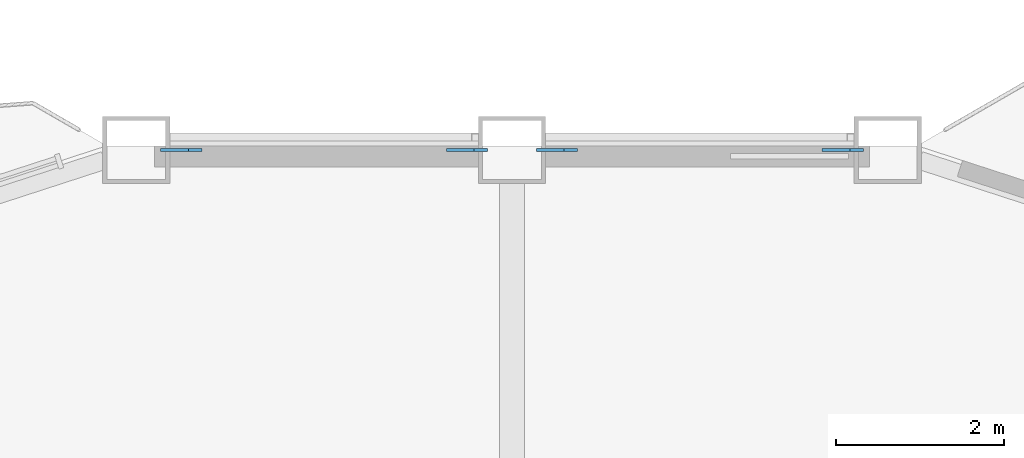
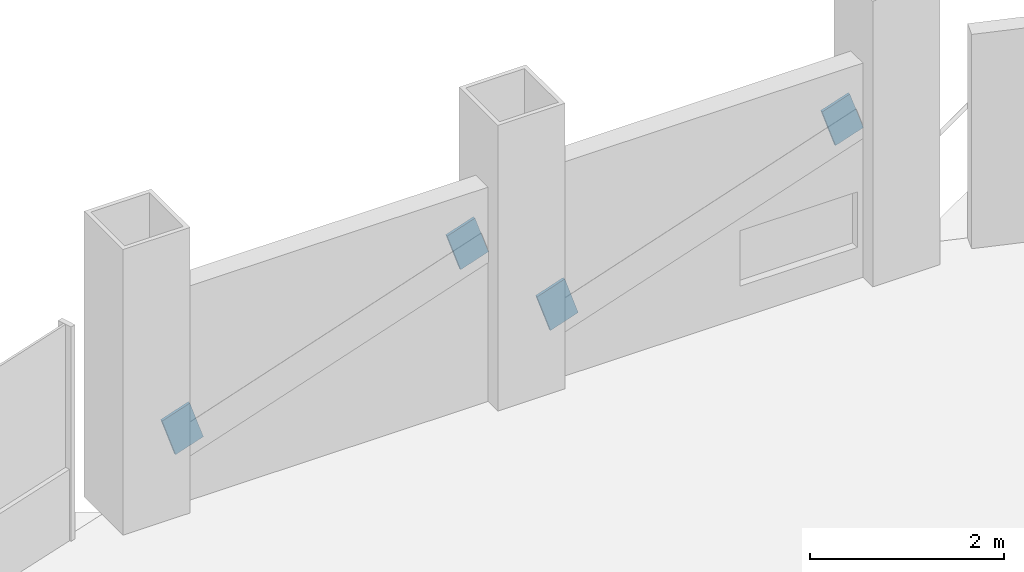
# One storey, part 17 of 22: 4 discrete accessories.
"""IFC4 building model written with IfcOpenShell, lengths in metres."""

from ifc_helpers import new_model, si_unit, direction, frame, origin, origin_2d, place, context, subcontext, project, spatial, rectangle, extrude, material, material_profile, profile_set, type_object, element, save


model = new_model("IFC4")

# Units and contexts
model_context = context("Model", 3, precision=1e-05, world=origin(), true_north=direction((0.0, 1.0)))
body_context = subcontext(model_context, "Body", "Model", "MODEL_VIEW")
ifc_project = project(units=[si_unit("LENGTHUNIT", "METRE"), si_unit("AREAUNIT", "SQUARE_METRE"), si_unit("VOLUMEUNIT", "CUBIC_METRE"), si_unit("PLANEANGLEUNIT", "RADIAN"), si_unit("MASSUNIT", "GRAM", prefix="KILO")], contexts=[model_context])

# Site, building, storey
site_placement = place(None, origin())
site = spatial("IfcSite", under=ifc_project, at=site_placement, CompositionType="ELEMENT")
building_placement = place(site_placement, origin())
building = spatial("IfcBuilding", under=site, at=building_placement, Name="Cormorant Prow Tower", CompositionType="ELEMENT")
storey_placement = place(building_placement, frame((0.0, 0.0, 198.0)))
storey = spatial("IfcBuildingStorey", under=building, at=storey_placement, Name="L43", CompositionType="ELEMENT", Elevation=198.0)

# Discrete accessories
ifc_material = material(Name="Structural steel ASTM A500 Gr C", Category="steel")
ifc_material_profile = material_profile(ifc_material, rectangle(XDim=0.031982421875, YDim=0.506103515625, at=origin_2d()), Name="Gusset plate 32x506")
ifc_profile_set = profile_set([ifc_material_profile], Name="Structural steel ASTM A500 Gr C")
discrete_accessory_type = type_object("IfcDiscreteAccessoryType", Name="Gusset plate 32x506", PredefinedType="BRACKET", material=ifc_profile_set)
for number, where, z_axis, x_axis, name in (
    (1, (0.701416015625, 32.3994140625, 0.83544921875), (-0.948053578163, 0.0, -0.318110692893), (0.0, -1.0, 0.0), "Gusset plate GP2 L43.N00.g0"),
    (2, (3.768798828125, 32.3994140625, 1.865478515625), (0.948053578163, 0.0, 0.318110692893), (0.0, 1.0, 0.0), "Gusset plate GP2 L43.N00.g1"),
    (3, (-3.768798828125, 32.3994140625, 0.83544921875), (-0.948053578163, 0.0, -0.318110692893), (0.0, -1.0, 0.0), "Gusset plate GP2 L43.N01.g0"),
    (4, (-0.701416015625, 32.3994140625, 1.865478515625), (0.948053578163, 0.0, 0.318110692893), (0.0, 1.0, 0.0), "Gusset plate GP2 L43.N01.g1"),
):
    element("IfcDiscreteAccessory", number, at=place(storey_placement, frame(where, z_axis=z_axis, x_axis=x_axis)), inside=storey, type_object=discrete_accessory_type, Name=name, PredefinedType="BRACKET", context=body_context, shape_type="SweptSolid", body=[
        extrude(rectangle(XDim=0.031982421875, YDim=0.506103515625, at=origin_2d()), origin(), (0.0, 0.0, 1.0), 0.349853515625),
    ])

save(model, "model.ifc")
